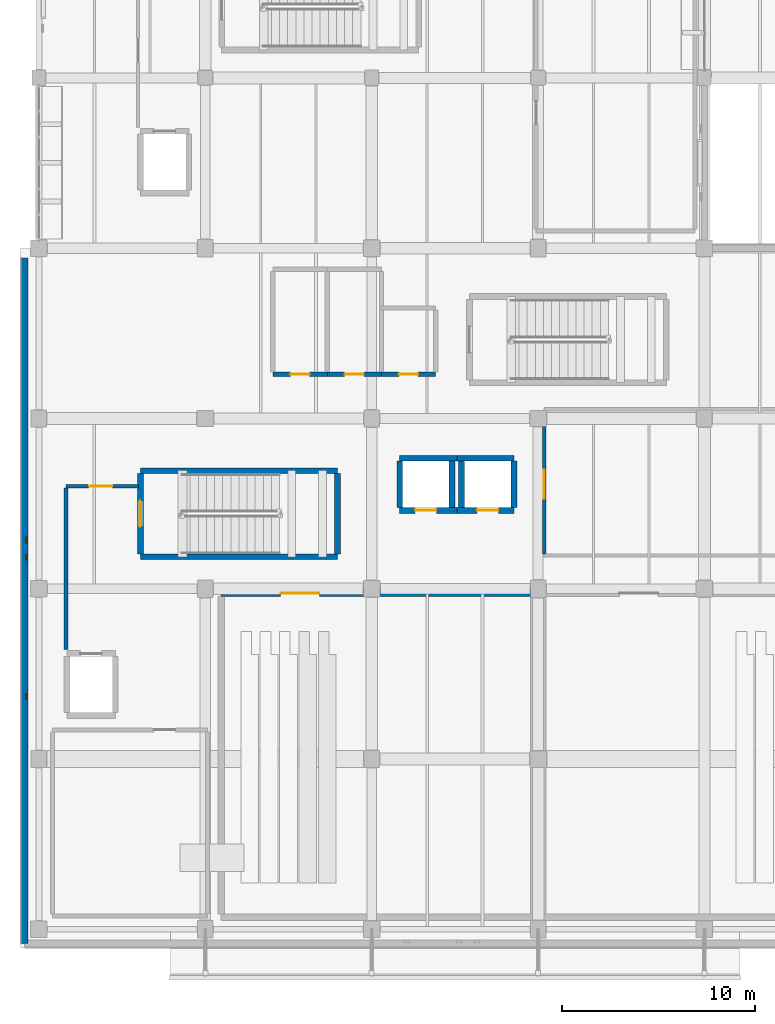
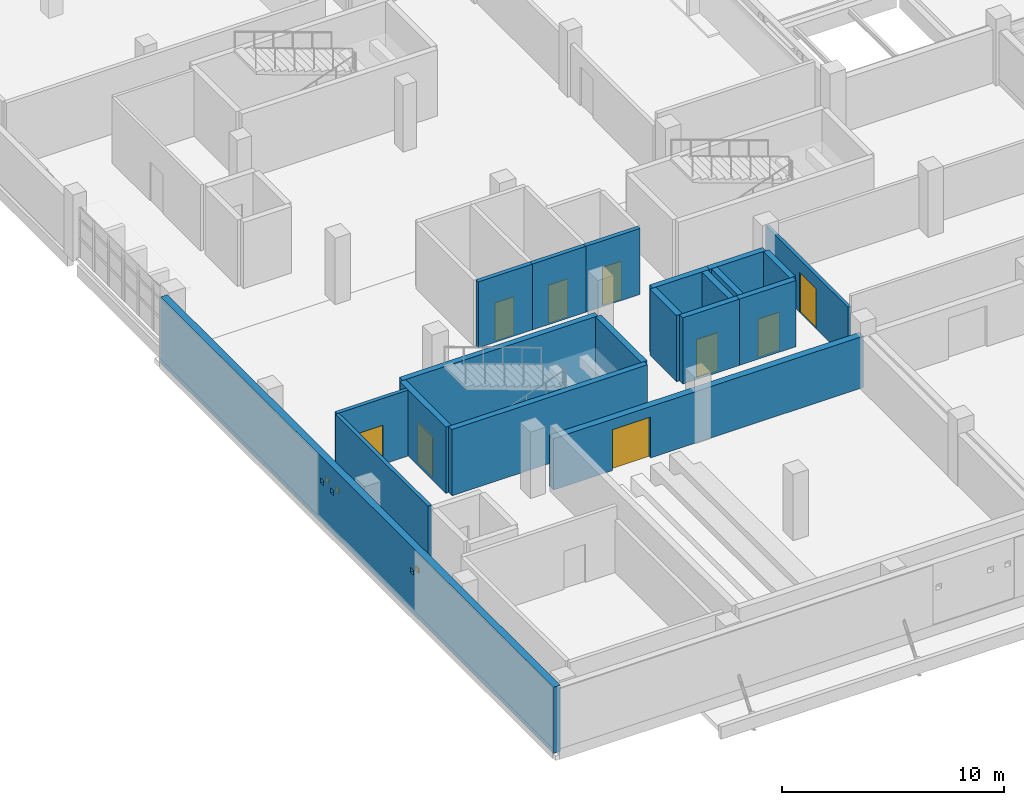
# One storey, part 59 of 80: 20 walls, 9 doors, 3 windows, 12 openings.
"""IFC4 building model written with IfcOpenShell, lengths in metres."""

from ifc_helpers import new_model, si_unit, direction, frame, frame_2d, origin, place, context, subcontext, project, spatial, rectangle, extrude, material, layer, layer_set, type_object, element, fill, save


model = new_model("IFC4")

# Units and contexts
model_context = context("Model", 3, precision=1e-05, world=origin(), true_north=direction((0.0, 1.0)))
body_context = subcontext(model_context, "Body", "Model", "MODEL_VIEW")
ifc_project = project(units=[si_unit("LENGTHUNIT", "METRE"), si_unit("AREAUNIT", "SQUARE_METRE"), si_unit("VOLUMEUNIT", "CUBIC_METRE"), si_unit("PLANEANGLEUNIT", "RADIAN"), si_unit("MASSUNIT", "GRAM", prefix="KILO")], contexts=[model_context])

# Site, building, storey
site_placement = place(None, origin())
site = spatial("IfcSite", under=ifc_project, at=site_placement, CompositionType="ELEMENT")
building_placement = place(site_placement, origin())
building = spatial("IfcBuilding", under=site, at=building_placement, Name="Varnakota Cinema and Media Centre", CompositionType="ELEMENT")
storey_placement = place(building_placement, frame((0.0, 0.0, 4.5)))
storey = spatial("IfcBuildingStorey", under=building, at=storey_placement, Name="L01", CompositionType="ELEMENT", Elevation=4.5)

# Wall
ifc_material_1 = material(Name="Concrete M40", Category="concrete")
ifc_layer_1 = layer(ifc_material_1, 0.300048828125)
ifc_layer_set_1 = layer_set([ifc_layer_1], Name="Concrete M40")
wall_type_1 = type_object("IfcWallType", Name="W-CORE-300", PredefinedType="SHEAR", material=ifc_layer_set_1)
wall_1_placement = place(storey_placement, frame((15.429931640625, 19.25, 0.0), z_axis=(0.0, 0.0, 1.0), x_axis=(-1.0, 0.0, 0.0)))
element("IfcWall", 1, at=wall_1_placement, inside=storey, type_object=wall_type_1, Name="L01 CWALL-ST-01-L01 S wall", PredefinedType="SHEAR", context=body_context, shape_type="SweptSolid", body=[
    extrude(rectangle(XDim=10.179931640625, YDim=0.300048828125, at=frame_2d((5.08984375, 0.0))), origin(), (0.0, 0.0, 1.0), 3.64990234375),
])

# Wall, opening, door
wall_2_placement = place(storey_placement, frame((5.25, 19.39990234375, 0.0), z_axis=(0.0, 0.0, 1.0), x_axis=(0.0, 1.0, 0.0)))
wall_2 = element("IfcWall", 2, at=wall_2_placement, inside=storey, type_object=wall_type_1, Name="L01 CWALL-ST-01-L01 W wall", PredefinedType="SHEAR", context=body_context, shape_type="SweptSolid", body=[
    extrude(rectangle(XDim=4.150146484375, YDim=0.300048828125, at=frame_2d((2.0751953125, 0.0))), origin(), (0.0, 0.0, 1.0), 3.64990234375),
])
opening_1_placement = place(wall_2_placement, frame((1.39990234375, 0.0, 0.0)))
opening_1 = element("IfcOpeningElement", 3, at=opening_1_placement, cuts=wall_2, Name="Opening SD-01", PredefinedType="OPENING", context=body_context, shape_type="SweptSolid", body=[
    extrude(rectangle(XDim=1.35009765625, YDim=2.199951171875, at=frame_2d((0.675048828125, 1.10009765625))), frame((0.0, 0.14990234375, 0.0), z_axis=(0.0, -1.0, 0.0), x_axis=(1.0, 0.0, 0.0)), (0.0, 0.0, 1.0), 0.300048828125),
])
ifc_material_2 = material(Name="Thermally broken anodised aluminium AW-6063", Category="aluminium")
door_type_1 = type_object("IfcDoorType", Name="DR-STAIR-1350x2200", OperationType="NOTDEFINED", PredefinedType="DOOR", material=ifc_material_2)
door_1_placement = place(opening_1_placement, origin())
door_1 = element("IfcDoor", 4, at=door_1_placement, inside=storey, type_object=door_type_1, Name="L01 door SD-01", OperationType="SINGLE_SWING_RIGHT", OverallHeight=2.199951171875, OverallWidth=1.35009765625, PredefinedType="DOOR", context=body_context, shape_type="SweptSolid", body=[
    extrude(rectangle(XDim=1.35009765625, YDim=2.199951171875, at=frame_2d((0.675048828125, 1.10009765625))), frame((0.0, 0.02490234375, 0.0), z_axis=(0.0, -1.0, 0.0), x_axis=(1.0, 0.0, 0.0)), (0.0, 0.0, 1.0), 0.050048828125),
])
fill(opening_1, door_1)

# Walls
wall_3_placement = place(storey_placement, frame((5.25, 23.699951171875, 0.0), z_axis=(0.0, 0.0, 1.0), x_axis=(1.0, 0.0, 0.0)))
element("IfcWall", 5, at=wall_3_placement, inside=storey, type_object=wall_type_1, Name="L01 CWALL-ST-01-L01 N wall", PredefinedType="SHEAR", context=body_context, shape_type="SweptSolid", body=[
    extrude(rectangle(XDim=10.179931640625, YDim=0.300048828125, at=frame_2d((5.08984375, 0.0))), origin(), (0.0, 0.0, 1.0), 3.64990234375),
])
wall_4_placement = place(storey_placement, frame((15.429931640625, 23.550048828125, 0.0), z_axis=(0.0, 0.0, 1.0), x_axis=(0.0, -1.0, 0.0)))
element("IfcWall", 6, at=wall_4_placement, inside=storey, type_object=wall_type_1, Name="L01 CWALL-ST-01-L01 E wall", PredefinedType="SHEAR", context=body_context, shape_type="SweptSolid", body=[
    extrude(rectangle(XDim=4.150146484375, YDim=0.300048828125, at=frame_2d((2.0751953125, 0.0))), origin(), (0.0, 0.0, 1.0), 3.64990234375),
])

# Wall, opening, door
wall_5_placement = place(storey_placement, frame((21.60009765625, 21.64990234375, 0.0), z_axis=(0.0, 0.0, 1.0), x_axis=(-1.0, 0.0, 0.0)))
wall_5 = element("IfcWall", 7, at=wall_5_placement, inside=storey, type_object=wall_type_1, Name="L01 LSHAFT-LF-03-L01 S wall", PredefinedType="SHEAR", context=body_context, shape_type="SweptSolid", body=[
    extrude(rectangle(XDim=2.9501953125, YDim=0.300048828125, at=frame_2d((1.47509765625, 0.0))), origin(), (0.0, 0.0, 1.0), 3.64990234375),
])
opening_2_placement = place(wall_5_placement, frame((1.050048828125, 0.0, 0.0)))
opening_2 = element("IfcOpeningElement", 8, at=opening_2_placement, cuts=wall_5, Name="Opening LD-03", PredefinedType="OPENING", context=body_context, shape_type="SweptSolid", body=[
    extrude(rectangle(XDim=1.10009765625, YDim=2.10009765625, at=frame_2d((0.550048828125, 1.050048828125))), frame((0.0, 0.14990234375, 0.0), z_axis=(0.0, -1.0, 0.0), x_axis=(1.0, 0.0, 0.0)), (0.0, 0.0, 1.0), 0.300048828125),
])
ifc_material_3 = material(Name="Thermally broken anodised aluminium AW-6063", Category="aluminium")
door_type_2 = type_object("IfcDoorType", Name="DR-LIFT-1100x2100", OperationType="SLIDING_TO_LEFT", PredefinedType="DOOR", material=ifc_material_3)
door_2_placement = place(opening_2_placement, origin())
door_2 = element("IfcDoor", 9, at=door_2_placement, inside=storey, type_object=door_type_2, Name="L01 door LD-03", OperationType="SLIDING_TO_LEFT", OverallHeight=2.10009765625, OverallWidth=1.10009765625, PredefinedType="DOOR", context=body_context, shape_type="SweptSolid", body=[
    extrude(rectangle(XDim=1.10009765625, YDim=2.10009765625, at=frame_2d((0.550048828125, 1.050048828125))), frame((0.0, 0.02490234375, 0.0), z_axis=(0.0, -1.0, 0.0), x_axis=(1.0, 0.0, 0.0)), (0.0, 0.0, 1.0), 0.050048828125),
])
fill(opening_2, door_2)

# Walls
wall_6_placement = place(storey_placement, frame((18.64990234375, 21.800048828125, 0.0), z_axis=(0.0, 0.0, 1.0), x_axis=(0.0, 1.0, 0.0)))
element("IfcWall", 10, at=wall_6_placement, inside=storey, type_object=wall_type_1, Name="L01 LSHAFT-LF-03-L01 W wall", PredefinedType="SHEAR", context=body_context, shape_type="SweptSolid", body=[
    extrude(rectangle(XDim=2.39990234375, YDim=0.300048828125, at=frame_2d((1.199951171875, 0.0))), origin(), (0.0, 0.0, 1.0), 3.64990234375),
])
wall_7_placement = place(storey_placement, frame((18.64990234375, 24.35009765625, 0.0), z_axis=(0.0, 0.0, 1.0), x_axis=(1.0, 0.0, 0.0)))
element("IfcWall", 11, at=wall_7_placement, inside=storey, type_object=wall_type_1, Name="L01 LSHAFT-LF-03-L01 N wall", PredefinedType="SHEAR", context=body_context, shape_type="SweptSolid", body=[
    extrude(rectangle(XDim=2.9501953125, YDim=0.300048828125, at=frame_2d((1.47509765625, 0.0))), origin(), (0.0, 0.0, 1.0), 3.64990234375),
])
wall_8_placement = place(storey_placement, frame((21.35009765625, 24.199951171875, 0.0), z_axis=(0.0, 0.0, 1.0), x_axis=(0.0, -1.0, 0.0)))
element("IfcWall", 12, at=wall_8_placement, inside=storey, type_object=wall_type_1, Name="L01 LSHAFT-LF-03-L01 E wall", PredefinedType="SHEAR", context=body_context, shape_type="SweptSolid", body=[
    extrude(rectangle(XDim=2.39990234375, YDim=0.300048828125, at=frame_2d((1.199951171875, 0.0))), origin(), (0.0, 0.0, 1.0), 3.64990234375),
])

# Wall, opening, door
wall_9_placement = place(storey_placement, frame((24.550048828125, 21.64990234375, 0.0), z_axis=(0.0, 0.0, 1.0), x_axis=(-1.0, 0.0, 0.0)))
wall_9 = element("IfcWall", 13, at=wall_9_placement, inside=storey, type_object=wall_type_1, Name="L01 LSHAFT-LF-04-L01 S wall", PredefinedType="SHEAR", context=body_context, shape_type="SweptSolid", body=[
    extrude(rectangle(XDim=2.949951171875, YDim=0.300048828125, at=frame_2d((1.47509765625, 0.0))), origin(), (0.0, 0.0, 1.0), 3.64990234375),
])
opening_3_placement = place(wall_9_placement, frame((0.800048828125, 0.0, 0.0)))
opening_3 = element("IfcOpeningElement", 14, at=opening_3_placement, cuts=wall_9, Name="Opening LD-04", PredefinedType="OPENING", context=body_context, shape_type="SweptSolid", body=[
    extrude(rectangle(XDim=1.10009765625, YDim=2.10009765625, at=frame_2d((0.550048828125, 1.050048828125))), frame((0.0, 0.14990234375, 0.0), z_axis=(0.0, -1.0, 0.0), x_axis=(1.0, 0.0, 0.0)), (0.0, 0.0, 1.0), 0.300048828125),
])
door_3_placement = place(opening_3_placement, origin())
door_3 = element("IfcDoor", 15, at=door_3_placement, inside=storey, type_object=door_type_2, Name="L01 door LD-04", OperationType="SLIDING_TO_LEFT", OverallHeight=2.10009765625, OverallWidth=1.10009765625, PredefinedType="DOOR", context=body_context, shape_type="SweptSolid", body=[
    extrude(rectangle(XDim=1.10009765625, YDim=2.10009765625, at=frame_2d((0.550048828125, 1.050048828125))), frame((0.0, 0.02490234375, 0.0), z_axis=(0.0, -1.0, 0.0), x_axis=(1.0, 0.0, 0.0)), (0.0, 0.0, 1.0), 0.050048828125),
])
fill(opening_3, door_3)

# Walls
wall_10_placement = place(storey_placement, frame((21.85009765625, 21.800048828125, 0.0), z_axis=(0.0, 0.0, 1.0), x_axis=(0.0, 1.0, 0.0)))
element("IfcWall", 16, at=wall_10_placement, inside=storey, type_object=wall_type_1, Name="L01 LSHAFT-LF-04-L01 W wall", PredefinedType="SHEAR", context=body_context, shape_type="SweptSolid", body=[
    extrude(rectangle(XDim=2.39990234375, YDim=0.300048828125, at=frame_2d((1.199951171875, 0.0))), origin(), (0.0, 0.0, 1.0), 3.64990234375),
])
wall_11_placement = place(storey_placement, frame((21.60009765625, 24.35009765625, 0.0), z_axis=(0.0, 0.0, 1.0), x_axis=(1.0, 0.0, 0.0)))
element("IfcWall", 17, at=wall_11_placement, inside=storey, type_object=wall_type_1, Name="L01 LSHAFT-LF-04-L01 N wall", PredefinedType="SHEAR", context=body_context, shape_type="SweptSolid", body=[
    extrude(rectangle(XDim=2.949951171875, YDim=0.300048828125, at=frame_2d((1.47509765625, 0.0))), origin(), (0.0, 0.0, 1.0), 3.64990234375),
])
wall_12_placement = place(storey_placement, frame((24.550048828125, 24.199951171875, 0.0), z_axis=(0.0, 0.0, 1.0), x_axis=(0.0, -1.0, 0.0)))
element("IfcWall", 18, at=wall_12_placement, inside=storey, type_object=wall_type_1, Name="L01 LSHAFT-LF-04-L01 E wall", PredefinedType="SHEAR", context=body_context, shape_type="SweptSolid", body=[
    extrude(rectangle(XDim=2.39990234375, YDim=0.300048828125, at=frame_2d((1.199951171875, 0.0))), origin(), (0.0, 0.0, 1.0), 3.64990234375),
])

# Wall, openings, windows
ifc_material_4 = material(Name="Pale Tandur limestone cladding", Category="masonry")
ifc_layer_2 = layer(ifc_material_4, 0.360107421875)
ifc_layer_set_2 = layer_set([ifc_layer_2], Name="Pale Tandur limestone cladding")
wall_type_2 = type_object("IfcWallType", Name="W-EXT-TANDUR-360", PredefinedType="SOLIDWALL", material=ifc_layer_set_2)
wall_13_placement = place(storey_placement, frame((-0.739990234375, -0.739990234375, 0.0), z_axis=(0.0, 0.0, 1.0), x_axis=(0.0, 1.0, 0.0)))
wall_13 = element("IfcWall", 19, at=wall_13_placement, inside=storey, type_object=wall_type_2, Name="L01 V4 pale Tandur stone monolith wall V4-W", PredefinedType="SOLIDWALL", context=body_context, shape_type="SweptSolid", body=[
    extrude(rectangle(XDim=35.43994140625, YDim=0.360107421875, at=frame_2d((17.719970703125, 0.0))), origin(), (0.0, 0.0, 1.0), 3.64990234375),
])
opening_4_placement = place(wall_13_placement, frame((12.6298828125, 0.0, 2.159912109375)))
opening_4 = element("IfcOpeningElement", 20, at=opening_4_placement, cuts=wall_13, Name="Opening WP15", PredefinedType="OPENING", context=body_context, shape_type="SweptSolid", body=[
    extrude(rectangle(XDim=0.280029296875, YDim=0.280029296875, at=frame_2d((0.14013671875, 0.14013671875))), frame((0.0, 0.18017578125, 0.0), z_axis=(0.0, -1.0, 0.0), x_axis=(1.0, 0.0, 0.0)), (0.0, 0.0, 1.0), 0.360107421875),
])
opening_5_placement = place(wall_13_placement, frame((19.830078125, 0.0, 2.159912109375)))
opening_5 = element("IfcOpeningElement", 21, at=opening_5_placement, cuts=wall_13, Name="Opening WP15", PredefinedType="OPENING", context=body_context, shape_type="SweptSolid", body=[
    extrude(rectangle(XDim=0.280029296875, YDim=0.280029296875, at=frame_2d((0.14013671875, 0.14013671875))), frame((0.0, 0.18017578125, 0.0), z_axis=(0.0, -1.0, 0.0), x_axis=(1.0, 0.0, 0.0)), (0.0, 0.0, 1.0), 0.360107421875),
])
opening_6_placement = place(wall_13_placement, frame((20.72998046875, 0.0, 2.159912109375)))
opening_6 = element("IfcOpeningElement", 22, at=opening_6_placement, cuts=wall_13, Name="Opening WP15", PredefinedType="OPENING", context=body_context, shape_type="SweptSolid", body=[
    extrude(rectangle(XDim=0.280029296875, YDim=0.280029296875, at=frame_2d((0.14013671875, 0.14013671875))), frame((0.0, 0.18017578125, 0.0), z_axis=(0.0, -1.0, 0.0), x_axis=(1.0, 0.0, 0.0)), (0.0, 0.0, 1.0), 0.360107421875),
])
ifc_material_5 = material(Name="Laminated solar-control double glazing", Category="glass")
window_type = type_object("IfcWindowType", Name="WIN-PIERCE-15", PartitioningType="SINGLE_PANEL", PredefinedType="WINDOW", material=ifc_material_5)
window_1_placement = place(opening_4_placement, origin())
window_1 = element("IfcWindow", 23, at=window_1_placement, inside=storey, type_object=window_type, Name="L01 window WP15", OverallHeight=0.280029296875, OverallWidth=0.280029296875, PartitioningType="SINGLE_PANEL", PredefinedType="WINDOW", context=body_context, shape_type="SweptSolid", body=[
    extrude(rectangle(XDim=0.280029296875, YDim=0.280029296875, at=frame_2d((0.14013671875, 0.14013671875))), frame((0.0, -0.070068359375, 0.0), z_axis=(0.0, -1.0, 0.0), x_axis=(1.0, 0.0, 0.0)), (0.0, 0.0, 1.0), 0.06005859375),
])
fill(opening_4, window_1)
window_2_placement = place(opening_5_placement, origin())
window_2 = element("IfcWindow", 24, at=window_2_placement, inside=storey, type_object=window_type, Name="L01 window WP15", OverallHeight=0.280029296875, OverallWidth=0.280029296875, PartitioningType="SINGLE_PANEL", PredefinedType="WINDOW", context=body_context, shape_type="SweptSolid", body=[
    extrude(rectangle(XDim=0.280029296875, YDim=0.280029296875, at=frame_2d((0.14013671875, 0.14013671875))), frame((0.0, -0.070068359375, 0.0), z_axis=(0.0, -1.0, 0.0), x_axis=(1.0, 0.0, 0.0)), (0.0, 0.0, 1.0), 0.06005859375),
])
fill(opening_5, window_2)
window_3_placement = place(opening_6_placement, origin())
window_3 = element("IfcWindow", 25, at=window_3_placement, inside=storey, type_object=window_type, Name="L01 window WP15", OverallHeight=0.280029296875, OverallWidth=0.280029296875, PartitioningType="SINGLE_PANEL", PredefinedType="WINDOW", context=body_context, shape_type="SweptSolid", body=[
    extrude(rectangle(XDim=0.280029296875, YDim=0.280029296875, at=frame_2d((0.14013671875, 0.14013671875))), frame((0.0, -0.070068359375, 0.0), z_axis=(0.0, -1.0, 0.0), x_axis=(1.0, 0.0, 0.0)), (0.0, 0.0, 1.0), 0.06005859375),
])
fill(opening_6, window_3)

# Wall, opening, door
ifc_material_6 = material(Name="Autoclaved aerated concrete blockwork", Category="masonry")
ifc_layer_3 = layer(ifc_material_6, 0.169921875)
ifc_layer_set_3 = layer_set([ifc_layer_3], Name="Autoclaved aerated concrete blockwork")
wall_type_3 = type_object("IfcWallType", Name="W-PART-170", PredefinedType="PARTITIONING", material=ifc_layer_set_3)
wall_14_placement = place(storey_placement, frame((26.114990234375, 19.39990234375, 0.0), z_axis=(0.0, 0.0, 1.0), x_axis=(0.0, 1.0, 0.0)))
wall_14 = element("IfcWall", 26, at=wall_14_placement, inside=storey, type_object=wall_type_3, Name="L01 RWALL-RM-L01-LOUNGE2 W wall", PredefinedType="PARTITIONING", context=body_context, shape_type="SweptSolid", body=[
    extrude(rectangle(XDim=7.400146484375, YDim=0.169921875, at=frame_2d((3.7001953125, 0.0))), origin(), (0.0, 0.0, 1.0), 2.929931640625),
])
opening_7_placement = place(wall_14_placement, frame((2.85009765625, 0.0, 0.0)))
opening_7 = element("IfcOpeningElement", 27, at=opening_7_placement, cuts=wall_14, Name="Opening D-062", PredefinedType="OPENING", context=body_context, shape_type="SweptSolid", body=[
    extrude(rectangle(XDim=1.5, YDim=2.199951171875, at=frame_2d((0.75, 1.10009765625))), frame((0.0, 0.0849609375, 0.0), z_axis=(0.0, -1.0, 0.0), x_axis=(1.0, 0.0, 0.0)), (0.0, 0.0, 1.0), 0.169921875),
])
ifc_material_7 = material(Name="Thermally broken anodised aluminium AW-6063", Category="aluminium")
door_type_3 = type_object("IfcDoorType", Name="DR-STD-1500x2200", OperationType="DOUBLE_DOOR_SINGLE_SWING", PredefinedType="DOOR", material=ifc_material_7)
door_4_placement = place(opening_7_placement, origin())
door_4 = element("IfcDoor", 28, at=door_4_placement, inside=storey, type_object=door_type_3, Name="L01 door D-062", OperationType="DOUBLE_DOOR_SINGLE_SWING", OverallHeight=2.199951171875, OverallWidth=1.5, PredefinedType="DOOR", context=body_context, shape_type="SweptSolid", body=[
    extrude(rectangle(XDim=1.5, YDim=2.199951171875, at=frame_2d((0.75, 1.10009765625))), frame((0.0, 0.02490234375, 0.0), z_axis=(0.0, -1.0, 0.0), x_axis=(1.0, 0.0, 0.0)), (0.0, 0.0, 1.0), 0.050048828125),
])
fill(opening_7, door_4)

# Wall
ifc_material_8 = material(Name="Autoclaved aerated concrete blockwork", Category="masonry")
ifc_layer_4 = layer(ifc_material_8, 0.18994140625)
ifc_layer_set_4 = layer_set([ifc_layer_4], Name="Autoclaved aerated concrete blockwork")
wall_type_4 = type_object("IfcWallType", Name="W-PART-190", PredefinedType="PARTITIONING", material=ifc_layer_set_4)
wall_15_placement = place(storey_placement, frame((1.405029296875, 14.449951171875, 0.0), z_axis=(0.0, 0.0, 1.0), x_axis=(0.0, 1.0, 0.0)))
element("IfcWall", 29, at=wall_15_placement, inside=storey, type_object=wall_type_4, Name="L01 RWALL-RM-L01-FF-1 W wall", PredefinedType="PARTITIONING", context=body_context, shape_type="SweptSolid", body=[
    extrude(rectangle(XDim=8.35009765625, YDim=0.18994140625, at=frame_2d((4.175048828125, 0.0))), origin(), (0.0, 0.0, 1.0), 3.6298828125),
])

# Wall, opening, door
wall_16_placement = place(storey_placement, frame((1.405029296875, 22.89501953125, 0.0), z_axis=(0.0, 0.0, 1.0), x_axis=(1.0, 0.0, 0.0)))
wall_16 = element("IfcWall", 30, at=wall_16_placement, inside=storey, type_object=wall_type_4, Name="L01 RWALL-RM-L01-FF-1 N wall", PredefinedType="PARTITIONING", context=body_context, shape_type="SweptSolid", body=[
    extrude(rectangle(XDim=3.739990234375, YDim=0.18994140625, at=frame_2d((1.8701171875, 0.0))), origin(), (0.0, 0.0, 1.0), 3.6298828125),
])
opening_8_placement = place(wall_16_placement, frame((1.195068359375, 0.0, 0.0)))
opening_8 = element("IfcOpeningElement", 31, at=opening_8_placement, cuts=wall_16, Name="Opening D-003", PredefinedType="OPENING", context=body_context, shape_type="SweptSolid", body=[
    extrude(rectangle(XDim=1.199951171875, YDim=2.14990234375, at=frame_2d((0.60009765625, 1.074951171875))), frame((0.0, 0.094970703125, 0.0), z_axis=(0.0, -1.0, 0.0), x_axis=(1.0, 0.0, 0.0)), (0.0, 0.0, 1.0), 0.18994140625),
])
ifc_material_9 = material(Name="Thermally broken anodised aluminium AW-6063", Category="aluminium")
door_type_4 = type_object("IfcDoorType", Name="DR-STD-1200x2150", OperationType="NOTDEFINED", PredefinedType="DOOR", material=ifc_material_9)
door_5_placement = place(opening_8_placement, origin())
door_5 = element("IfcDoor", 32, at=door_5_placement, inside=storey, type_object=door_type_4, Name="L01 door D-003", OperationType="SINGLE_SWING_LEFT", OverallHeight=2.14990234375, OverallWidth=1.199951171875, PredefinedType="DOOR", context=body_context, shape_type="SweptSolid", body=[
    extrude(rectangle(XDim=1.199951171875, YDim=2.14990234375, at=frame_2d((0.60009765625, 1.074951171875))), frame((0.0, 0.02490234375, 0.0), z_axis=(0.0, -1.0, 0.0), x_axis=(1.0, 0.0, 0.0)), (0.0, 0.0, 1.0), 0.050048828125),
])
fill(opening_8, door_5)

ifc_material_10 = material(Name="Autoclaved aerated concrete blockwork", Category="masonry")
ifc_layer_5 = layer(ifc_material_10, 0.219970703125)
ifc_layer_set_5 = layer_set([ifc_layer_5], Name="Autoclaved aerated concrete blockwork")
wall_type_5 = type_object("IfcWallType", Name="W-PLUMB-220", PredefinedType="PLUMBINGWALL", material=ifc_layer_set_5)
wall_17_placement = place(storey_placement, frame((14.909912109375, 28.68994140625, 0.0), z_axis=(0.0, 0.0, 1.0), x_axis=(-1.0, 0.0, 0.0)))
wall_17 = element("IfcWall", 33, at=wall_17_placement, inside=storey, type_object=wall_type_5, Name="L01 RWALL-RM-L01-WCM S wall", PredefinedType="PLUMBINGWALL", context=body_context, shape_type="SweptSolid", body=[
    extrude(rectangle(XDim=2.81982421875, YDim=0.219970703125, at=frame_2d((1.409912109375, 0.0))), origin(), (0.0, 0.0, 1.0), 3.6298828125),
])
opening_9_placement = place(wall_17_placement, frame((0.909912109375, 0.0, 0.0)))
opening_9 = element("IfcOpeningElement", 34, at=opening_9_placement, cuts=wall_17, Name="Opening D-020", PredefinedType="OPENING", context=body_context, shape_type="SweptSolid", body=[
    extrude(rectangle(XDim=1.0, YDim=2.10009765625, at=frame_2d((0.5, 1.050048828125))), frame((0.0, 0.10986328125, 0.0), z_axis=(0.0, -1.0, 0.0), x_axis=(1.0, 0.0, 0.0)), (0.0, 0.0, 1.0), 0.219970703125),
])
ifc_material_11 = material(Name="Thermally broken anodised aluminium AW-6063", Category="aluminium")
door_type_5 = type_object("IfcDoorType", Name="DR-STD-1000x2100", OperationType="NOTDEFINED", PredefinedType="DOOR", material=ifc_material_11)
door_6_placement = place(opening_9_placement, origin())
door_6 = element("IfcDoor", 35, at=door_6_placement, inside=storey, type_object=door_type_5, Name="L01 door D-020", OperationType="SINGLE_SWING_RIGHT", OverallHeight=2.10009765625, OverallWidth=1.0, PredefinedType="DOOR", context=body_context, shape_type="SweptSolid", body=[
    extrude(rectangle(XDim=1.0, YDim=2.10009765625, at=frame_2d((0.5, 1.050048828125))), frame((0.0, 0.02490234375, 0.0), z_axis=(0.0, -1.0, 0.0), x_axis=(1.0, 0.0, 0.0)), (0.0, 0.0, 1.0), 0.050048828125),
])
fill(opening_9, door_6)

wall_18_placement = place(storey_placement, frame((17.7099609375, 28.68994140625, 0.0), z_axis=(0.0, 0.0, 1.0), x_axis=(-1.0, 0.0, 0.0)))
wall_18 = element("IfcWall", 36, at=wall_18_placement, inside=storey, type_object=wall_type_5, Name="L01 RWALL-RM-L01-WCF S wall", PredefinedType="PLUMBINGWALL", context=body_context, shape_type="SweptSolid", body=[
    extrude(rectangle(XDim=2.820068359375, YDim=0.219970703125, at=frame_2d((1.41015625, 0.0))), origin(), (0.0, 0.0, 1.0), 3.6298828125),
])
opening_10_placement = place(wall_18_placement, frame((0.909912109375, 0.0, 0.0)))
opening_10 = element("IfcOpeningElement", 37, at=opening_10_placement, cuts=wall_18, Name="Opening D-021", PredefinedType="OPENING", context=body_context, shape_type="SweptSolid", body=[
    extrude(rectangle(XDim=1.0, YDim=2.10009765625, at=frame_2d((0.5, 1.050048828125))), frame((0.0, 0.10986328125, 0.0), z_axis=(0.0, -1.0, 0.0), x_axis=(1.0, 0.0, 0.0)), (0.0, 0.0, 1.0), 0.219970703125),
])
door_7_placement = place(opening_10_placement, origin())
door_7 = element("IfcDoor", 38, at=door_7_placement, inside=storey, type_object=door_type_5, Name="L01 door D-021", OperationType="SINGLE_SWING_LEFT", OverallHeight=2.10009765625, OverallWidth=1.0, PredefinedType="DOOR", context=body_context, shape_type="SweptSolid", body=[
    extrude(rectangle(XDim=1.0, YDim=2.10009765625, at=frame_2d((0.5, 1.050048828125))), frame((0.0, 0.02490234375, 0.0), z_axis=(0.0, -1.0, 0.0), x_axis=(1.0, 0.0, 0.0)), (0.0, 0.0, 1.0), 0.050048828125),
])
fill(opening_10, door_7)

wall_19_placement = place(storey_placement, frame((20.510009765625, 28.68994140625, 0.0), z_axis=(0.0, 0.0, 1.0), x_axis=(-1.0, 0.0, 0.0)))
wall_19 = element("IfcWall", 39, at=wall_19_placement, inside=storey, type_object=wall_type_5, Name="L01 RWALL-RM-L01-WCA S wall", PredefinedType="PLUMBINGWALL", context=body_context, shape_type="SweptSolid", body=[
    extrude(rectangle(XDim=2.820068359375, YDim=0.219970703125, at=frame_2d((1.41015625, 0.0))), origin(), (0.0, 0.0, 1.0), 3.6298828125),
])
opening_11_placement = place(wall_19_placement, frame((0.909912109375, 0.0, 0.0)))
opening_11 = element("IfcOpeningElement", 40, at=opening_11_placement, cuts=wall_19, Name="Opening D-022", PredefinedType="OPENING", context=body_context, shape_type="SweptSolid", body=[
    extrude(rectangle(XDim=1.0, YDim=2.10009765625, at=frame_2d((0.5, 1.050048828125))), frame((0.0, 0.10986328125, 0.0), z_axis=(0.0, -1.0, 0.0), x_axis=(1.0, 0.0, 0.0)), (0.0, 0.0, 1.0), 0.219970703125),
])
door_8_placement = place(opening_11_placement, origin())
door_8 = element("IfcDoor", 41, at=door_8_placement, inside=storey, type_object=door_type_5, Name="L01 door D-022", OperationType="SINGLE_SWING_RIGHT", OverallHeight=2.10009765625, OverallWidth=1.0, PredefinedType="DOOR", context=body_context, shape_type="SweptSolid", body=[
    extrude(rectangle(XDim=1.0, YDim=2.10009765625, at=frame_2d((0.5, 1.050048828125))), frame((0.0, 0.02490234375, 0.0), z_axis=(0.0, -1.0, 0.0), x_axis=(1.0, 0.0, 0.0)), (0.0, 0.0, 1.0), 0.050048828125),
])
fill(opening_11, door_8)

ifc_material_12 = material(Name="Concrete M40", Category="concrete")
ifc_layer_6 = layer(ifc_material_12, 0.35009765625)
ifc_layer_set_6 = layer_set([ifc_layer_6], Name="Concrete M40")
wall_type_6 = type_object("IfcWallType", Name="W-SEP-350", PredefinedType="SOLIDWALL", material=ifc_layer_set_6)
wall_20_placement = place(storey_placement, frame((9.425048828125, 17.375, 0.0), z_axis=(0.0, 0.0, 1.0), x_axis=(1.0, 0.0, 0.0)))
wall_20 = element("IfcWall", 42, at=wall_20_placement, inside=storey, type_object=wall_type_6, Name="L01 RWALL-RM-L01-SCR2 N wall", PredefinedType="SOLIDWALL", context=body_context, shape_type="SweptSolid", body=[
    extrude(rectangle(XDim=16.14990234375, YDim=0.35009765625, at=frame_2d((8.074951171875, 0.0))), origin(), (0.0, 0.0, 1.0), 2.830078125),
])
opening_12_placement = place(wall_20_placement, frame((3.074951171875, 0.0, 0.0)))
opening_12 = element("IfcOpeningElement", 43, at=opening_12_placement, cuts=wall_20, Name="Opening D-059", PredefinedType="OPENING", context=body_context, shape_type="SweptSolid", body=[
    extrude(rectangle(XDim=2.0, YDim=2.25, at=frame_2d((1.0, 1.125))), frame((0.0, 0.175048828125, 0.0), z_axis=(0.0, -1.0, 0.0), x_axis=(1.0, 0.0, 0.0)), (0.0, 0.0, 1.0), 0.35009765625),
])
ifc_material_13 = material(Name="Thermally broken anodised aluminium AW-6063", Category="aluminium")
door_type_6 = type_object("IfcDoorType", Name="DR-AUD-2000x2250", OperationType="DOUBLE_DOOR_SINGLE_SWING", PredefinedType="DOOR", material=ifc_material_13)
door_9_placement = place(opening_12_placement, origin())
door_9 = element("IfcDoor", 44, at=door_9_placement, inside=storey, type_object=door_type_6, Name="L01 door D-059", OperationType="DOUBLE_DOOR_SINGLE_SWING", OverallHeight=2.25, OverallWidth=2.0, PredefinedType="DOOR", context=body_context, shape_type="SweptSolid", body=[
    extrude(rectangle(XDim=2.0, YDim=2.25, at=frame_2d((1.0, 1.125))), frame((0.0, 0.02490234375, 0.0), z_axis=(0.0, -1.0, 0.0), x_axis=(1.0, 0.0, 0.0)), (0.0, 0.0, 1.0), 0.050048828125),
])
fill(opening_12, door_9)

save(model, "model.ifc")
